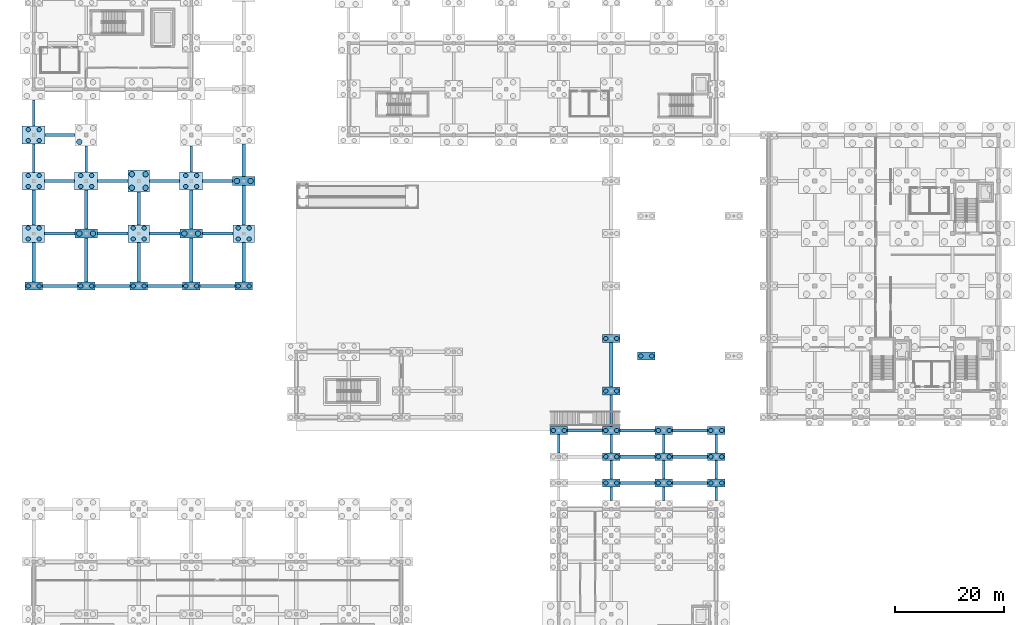
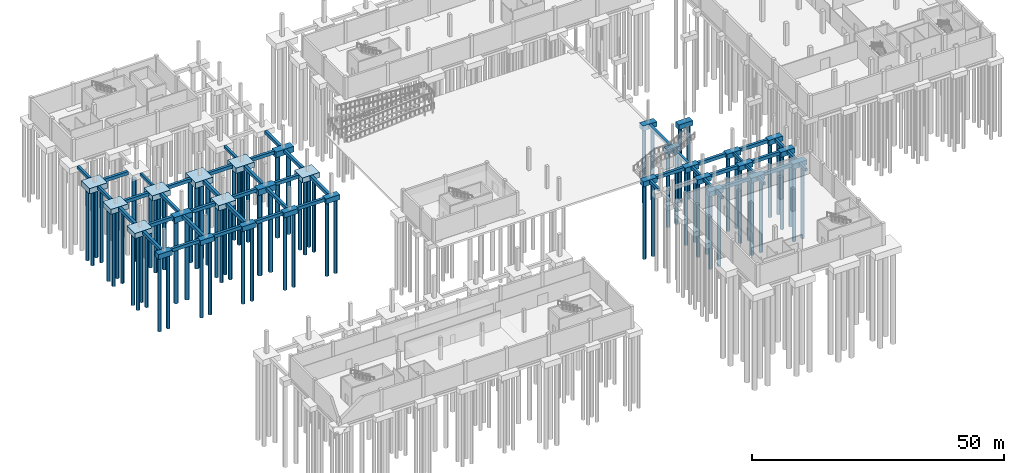
# One storey, part 4 of 41: 76 footings, 75 piles.
"""IFC4 building model written with IfcOpenShell, lengths in metres."""

from ifc_helpers import new_model, si_unit, direction, frame, origin, origin_2d, place, context, subcontext, project, spatial, rectangle, circle, extrude, material, material_profile, profile_set, type_object, element, save


model = new_model("IFC4")

# Units and contexts
model_context = context("Model", 3, precision=1e-05, world=origin(), true_north=direction((0.0, 1.0)))
body_context = subcontext(model_context, "Body", "Model", "MODEL_VIEW")
ifc_project = project(units=[si_unit("LENGTHUNIT", "METRE"), si_unit("AREAUNIT", "SQUARE_METRE"), si_unit("VOLUMEUNIT", "CUBIC_METRE"), si_unit("PLANEANGLEUNIT", "RADIAN"), si_unit("MASSUNIT", "GRAM", prefix="KILO")], contexts=[model_context])

# Site, building, storey
site_placement = place(None, origin())
site = spatial("IfcSite", under=ifc_project, at=site_placement, CompositionType="ELEMENT")
building_placement = place(site_placement, origin())
building = spatial("IfcBuilding", under=site, at=building_placement, Name="Shalvenor Court Art Gallery", CompositionType="ELEMENT")
storey_placement = place(building_placement, frame((0.0, 0.0, -5.39990234375)))
storey = spatial("IfcBuildingStorey", under=building, at=storey_placement, Name="B01", CompositionType="ELEMENT", Elevation=-5.39990234375)

# Footings
ifc_material_1 = material(Name="Concrete C35/45", Category="concrete")
footing_type_1 = type_object("IfcFootingType", Name="GB-01", PredefinedType="FOOTING_BEAM", material=ifc_material_1)
footing_1_placement = place(storey_placement, frame((0.0, 73.949951171875, -0.80029296875), z_axis=(0.0, 0.0, 1.0), x_axis=(0.0, 1.0, 0.0)))
element("IfcFooting", 1, at=footing_1_placement, inside=storey, type_object=footing_type_1, Name="B01 Ground Tie Beam FTG-192", PredefinedType="FOOTING_BEAM", context=body_context, shape_type="SweptSolid", body=[
    extrude(rectangle(XDim=7.300048828125, YDim=0.60009765625, at=origin_2d()), origin(), (0.0, 0.0, 1.0), 0.800048828125),
])
footing_2_placement = place(storey_placement, frame((0.0, 84.0, -0.80029296875), z_axis=(0.0, 0.0, 1.0), x_axis=(0.0, 1.0, 0.0)))
element("IfcFooting", 2, at=footing_2_placement, inside=storey, type_object=footing_type_1, Name="B01 Ground Tie Beam FTG-193", PredefinedType="FOOTING_BEAM", context=body_context, shape_type="SweptSolid", body=[
    extrude(rectangle(XDim=6.39990234375, YDim=0.60009765625, at=origin_2d()), origin(), (0.0, 0.0, 1.0), 0.800048828125),
])
footing_3_placement = place(storey_placement, frame((9.60009765625, 74.35009765625, -0.80029296875), z_axis=(0.0, 0.0, 1.0), x_axis=(0.0, 1.0, 0.0)))
element("IfcFooting", 3, at=footing_3_placement, inside=storey, type_object=footing_type_1, Name="B01 Ground Tie Beam FTG-201", PredefinedType="FOOTING_BEAM", context=body_context, shape_type="SweptSolid", body=[
    extrude(rectangle(XDim=8.10009765625, YDim=0.60009765625, at=origin_2d()), origin(), (0.0, 0.0, 1.0), 0.800048828125),
])
footing_4_placement = place(storey_placement, frame((9.60009765625, 83.574951171875, -0.80029296875), z_axis=(0.0, 0.0, 1.0), x_axis=(0.0, 1.0, 0.0)))
element("IfcFooting", 4, at=footing_4_placement, inside=storey, type_object=footing_type_1, Name="B01 Ground Tie Beam FTG-202", PredefinedType="FOOTING_BEAM", context=body_context, shape_type="SweptSolid", body=[
    extrude(rectangle(XDim=7.14990234375, YDim=0.60009765625, at=origin_2d()), origin(), (0.0, 0.0, 1.0), 0.800048828125),
])
footing_5_placement = place(storey_placement, frame((19.199951171875, 73.949951171875, -0.80029296875), z_axis=(0.0, 0.0, 1.0), x_axis=(0.0, 1.0, 0.0)))
element("IfcFooting", 5, at=footing_5_placement, inside=storey, type_object=footing_type_1, Name="B01 Ground Tie Beam FTG-210", PredefinedType="FOOTING_BEAM", context=body_context, shape_type="SweptSolid", body=[
    extrude(rectangle(XDim=7.300048828125, YDim=0.60009765625, at=origin_2d()), origin(), (0.0, 0.0, 1.0), 0.800048828125),
])
footing_6_placement = place(storey_placement, frame((19.199951171875, 83.800048828125, -0.80029296875), z_axis=(0.0, 0.0, 1.0), x_axis=(0.0, 1.0, 0.0)))
element("IfcFooting", 6, at=footing_6_placement, inside=storey, type_object=footing_type_1, Name="B01 Ground Tie Beam FTG-211", PredefinedType="FOOTING_BEAM", context=body_context, shape_type="SweptSolid", body=[
    extrude(rectangle(XDim=6.0, YDim=0.60009765625, at=origin_2d()), origin(), (0.0, 0.0, 1.0), 0.800048828125),
])
footing_7_placement = place(storey_placement, frame((28.800048828125, 74.35009765625, -0.80029296875), z_axis=(0.0, 0.0, 1.0), x_axis=(0.0, 1.0, 0.0)))
element("IfcFooting", 7, at=footing_7_placement, inside=storey, type_object=footing_type_1, Name="B01 Ground Tie Beam FTG-215", PredefinedType="FOOTING_BEAM", context=body_context, shape_type="SweptSolid", body=[
    extrude(rectangle(XDim=8.10009765625, YDim=0.60009765625, at=origin_2d()), origin(), (0.0, 0.0, 1.0), 0.800048828125),
])
footing_8_placement = place(storey_placement, frame((28.800048828125, 83.574951171875, -0.80029296875), z_axis=(0.0, 0.0, 1.0), x_axis=(0.0, 1.0, 0.0)))
element("IfcFooting", 8, at=footing_8_placement, inside=storey, type_object=footing_type_1, Name="B01 Ground Tie Beam FTG-216", PredefinedType="FOOTING_BEAM", context=body_context, shape_type="SweptSolid", body=[
    extrude(rectangle(XDim=7.14990234375, YDim=0.60009765625, at=origin_2d()), origin(), (0.0, 0.0, 1.0), 0.800048828125),
])
footing_9_placement = place(storey_placement, frame((38.39990234375, 73.949951171875, -0.80029296875), z_axis=(0.0, 0.0, 1.0), x_axis=(0.0, 1.0, 0.0)))
element("IfcFooting", 9, at=footing_9_placement, inside=storey, type_object=footing_type_1, Name="B01 Ground Tie Beam FTG-224", PredefinedType="FOOTING_BEAM", context=body_context, shape_type="SweptSolid", body=[
    extrude(rectangle(XDim=7.300048828125, YDim=0.60009765625, at=origin_2d()), origin(), (0.0, 0.0, 1.0), 0.800048828125),
])
footing_10_placement = place(storey_placement, frame((38.39990234375, 84.39990234375, -0.80029296875), z_axis=(0.0, 0.0, 1.0), x_axis=(0.0, 1.0, 0.0)))
element("IfcFooting", 10, at=footing_10_placement, inside=storey, type_object=footing_type_1, Name="B01 Ground Tie Beam FTG-225", PredefinedType="FOOTING_BEAM", context=body_context, shape_type="SweptSolid", body=[
    extrude(rectangle(XDim=7.199951171875, YDim=0.60009765625, at=origin_2d()), origin(), (0.0, 0.0, 1.0), 0.800048828125),
])
footing_11_placement = place(storey_placement, frame((38.39990234375, 92.60009765625, -0.80029296875), z_axis=(0.0, 0.0, 1.0), x_axis=(0.0, 1.0, 0.0)))
element("IfcFooting", 11, at=footing_11_placement, inside=storey, type_object=footing_type_1, Name="B01 Ground Tie Beam FTG-226", PredefinedType="FOOTING_BEAM", context=body_context, shape_type="SweptSolid", body=[
    extrude(rectangle(XDim=6.0, YDim=0.60009765625, at=origin_2d()), origin(), (0.0, 0.0, 1.0), 0.800048828125),
])
footing_12_placement = place(storey_placement, frame((105.60009765625, 55.199951171875, -0.80029296875), z_axis=(0.0, 0.0, 1.0), x_axis=(0.0, 1.0, 0.0)))
element("IfcFooting", 12, at=footing_12_placement, inside=storey, type_object=footing_type_1, Name="B01 Ground Tie Beam FTG-276", PredefinedType="FOOTING_BEAM", context=body_context, shape_type="SweptSolid", body=[
    extrude(rectangle(XDim=8.199951171875, YDim=0.60009765625, at=origin_2d()), origin(), (0.0, 0.0, 1.0), 0.800048828125),
])
for number, where, z_axis, x_axis, name in (
    (13, (110.39990234375, 33.60009765625, -0.80029296875), (0.0, 0.0, 1.0), (1.0, 0.0, 0.0), "B01 Ground Tie Beam FTG-376"),
    (14, (120.0, 33.60009765625, -0.80029296875), (0.0, 0.0, 1.0), (1.0, 0.0, 0.0), "B01 Ground Tie Beam FTG-377"),
    (15, (110.39990234375, 38.39990234375, -0.80029296875), (0.0, 0.0, 1.0), (1.0, 0.0, 0.0), "B01 Ground Tie Beam FTG-379"),
    (16, (120.0, 38.39990234375, -0.80029296875), (0.0, 0.0, 1.0), (1.0, 0.0, 0.0), "B01 Ground Tie Beam FTG-380"),
    (17, (100.800048828125, 43.199951171875, -0.80029296875), (0.0, 0.0, 1.0), (1.0, 0.0, 0.0), "B01 Ground Tie Beam FTG-381"),
    (18, (110.39990234375, 43.199951171875, -0.80029296875), (0.0, 0.0, 1.0), (1.0, 0.0, 0.0), "B01 Ground Tie Beam FTG-382"),
    (19, (120.0, 43.199951171875, -0.80029296875), (0.0, 0.0, 1.0), (1.0, 0.0, 0.0), "B01 Ground Tie Beam FTG-383"),
    (20, (4.800048828125, 69.60009765625, -0.80029296875), (0.0, 0.0, 1.0), (1.0, 0.0, 0.0), "B01 Ground Tie Beam FTG-406"),
    (21, (14.39990234375, 69.60009765625, -0.80029296875), (0.0, 0.0, 1.0), (1.0, 0.0, 0.0), "B01 Ground Tie Beam FTG-407"),
    (22, (24.0, 69.60009765625, -0.80029296875), (0.0, 0.0, 1.0), (1.0, 0.0, 0.0), "B01 Ground Tie Beam FTG-408"),
    (23, (33.60009765625, 69.60009765625, -0.80029296875), (0.0, 0.0, 1.0), (1.0, 0.0, 0.0), "B01 Ground Tie Beam FTG-409"),
):
    element("IfcFooting", number, at=place(storey_placement, frame(where, z_axis=z_axis, x_axis=x_axis)), inside=storey, type_object=footing_type_1, Name=name, PredefinedType="FOOTING_BEAM", context=body_context, shape_type="SweptSolid", body=[
        extrude(rectangle(XDim=6.39990234375, YDim=0.60009765625, at=origin_2d()), origin(), (0.0, 0.0, 1.0), 0.800048828125),
    ])
for number, where, z_axis, x_axis, name in (
    (24, (4.77490234375, 79.199951171875, -0.80029296875), (0.0, 0.0, 1.0), (1.0, 0.0, 0.0), "B01 Ground Tie Beam FTG-414"),
    (25, (14.425048828125, 79.199951171875, -0.80029296875), (0.0, 0.0, 1.0), (1.0, 0.0, 0.0), "B01 Ground Tie Beam FTG-415"),
    (26, (23.97509765625, 79.199951171875, -0.80029296875), (0.0, 0.0, 1.0), (1.0, 0.0, 0.0), "B01 Ground Tie Beam FTG-416"),
    (27, (33.625, 79.199951171875, -0.80029296875), (0.0, 0.0, 1.0), (1.0, 0.0, 0.0), "B01 Ground Tie Beam FTG-417"),
):
    element("IfcFooting", number, at=place(storey_placement, frame(where, z_axis=z_axis, x_axis=x_axis)), inside=storey, type_object=footing_type_1, Name=name, PredefinedType="FOOTING_BEAM", context=body_context, shape_type="SweptSolid", body=[
        extrude(rectangle(XDim=5.550048828125, YDim=0.60009765625, at=origin_2d()), origin(), (0.0, 0.0, 1.0), 0.800048828125),
    ])
for number, where, z_axis, x_axis, name in (
    (28, (4.75, 88.800048828125, -0.80029296875), (0.0, 0.0, 1.0), (1.0, 0.0, 0.0), "B01 Ground Tie Beam FTG-423"),
    (29, (14.449951171875, 88.800048828125, -0.80029296875), (0.0, 0.0, 1.0), (1.0, 0.0, 0.0), "B01 Ground Tie Beam FTG-424"),
    (30, (23.949951171875, 88.800048828125, -0.80029296875), (0.0, 0.0, 1.0), (1.0, 0.0, 0.0), "B01 Ground Tie Beam FTG-425"),
):
    element("IfcFooting", number, at=place(storey_placement, frame(where, z_axis=z_axis, x_axis=x_axis)), inside=storey, type_object=footing_type_1, Name=name, PredefinedType="FOOTING_BEAM", context=body_context, shape_type="SweptSolid", body=[
        extrude(rectangle(XDim=5.5, YDim=0.60009765625, at=origin_2d()), origin(), (0.0, 0.0, 1.0), 0.800048828125),
    ])
footing_13_placement = place(storey_placement, frame((33.625, 88.800048828125, -0.80029296875), z_axis=(0.0, 0.0, 1.0), x_axis=(1.0, 0.0, 0.0)))
element("IfcFooting", 31, at=footing_13_placement, inside=storey, type_object=footing_type_1, Name="B01 Ground Tie Beam FTG-426", PredefinedType="FOOTING_BEAM", context=body_context, shape_type="SweptSolid", body=[
    extrude(rectangle(XDim=5.449951171875, YDim=0.60009765625, at=origin_2d()), origin(), (0.0, 0.0, 1.0), 0.800048828125),
])
footing_14_placement = place(storey_placement, frame((4.85009765625, 97.199951171875, -0.80029296875), z_axis=(0.0, 0.0, 1.0), x_axis=(1.0, 0.0, 0.0)))
element("IfcFooting", 32, at=footing_14_placement, inside=storey, type_object=footing_type_1, Name="B01 Ground Tie Beam FTG-432", PredefinedType="FOOTING_BEAM", context=body_context, shape_type="SweptSolid", body=[
    extrude(rectangle(XDim=5.5, YDim=0.60009765625, at=origin_2d()), origin(), (0.0, 0.0, 1.0), 0.800048828125),
])
ifc_material_2 = material(Name="Concrete C35/45", Category="concrete")
footing_type_2 = type_object("IfcFootingType", Name="GB-02", PredefinedType="FOOTING_BEAM", material=ifc_material_2)
footing_15_placement = place(storey_placement, frame((0.0, 92.97509765625, -0.7001953125), z_axis=(0.0, 0.0, 1.0), x_axis=(0.0, 1.0, 0.0)))
element("IfcFooting", 33, at=footing_15_placement, inside=storey, type_object=footing_type_2, Name="B01 Ground Tie Beam FTG-194", PredefinedType="FOOTING_BEAM", context=body_context, shape_type="SweptSolid", body=[
    extrude(rectangle(XDim=5.14990234375, YDim=0.5, at=origin_2d()), origin(), (0.0, 0.0, 1.0), 0.699951171875),
])
for number, where, z_axis, x_axis, name in (
    (34, (0.0, 101.22509765625, -0.7001953125), (0.0, 0.0, 1.0), (0.0, 1.0, 0.0), "B01 Ground Tie Beam FTG-195"),
    (35, (9.60009765625, 92.824951171875, -0.7001953125), (0.0, 0.0, 1.0), (0.0, 1.0, 0.0), "B01 Ground Tie Beam FTG-203"),
    (36, (28.800048828125, 92.824951171875, -0.7001953125), (0.0, 0.0, 1.0), (0.0, 1.0, 0.0), "B01 Ground Tie Beam FTG-217"),
):
    element("IfcFooting", number, at=place(storey_placement, frame(where, z_axis=z_axis, x_axis=x_axis)), inside=storey, type_object=footing_type_2, Name=name, PredefinedType="FOOTING_BEAM", context=body_context, shape_type="SweptSolid", body=[
        extrude(rectangle(XDim=4.75, YDim=0.5, at=origin_2d()), origin(), (0.0, 0.0, 1.0), 0.699951171875),
    ])
footing_16_placement = place(storey_placement, frame((96.0, 40.800048828125, -0.7001953125), z_axis=(0.0, 0.0, 1.0), x_axis=(0.0, 1.0, 0.0)))
element("IfcFooting", 37, at=footing_16_placement, inside=storey, type_object=footing_type_2, Name="B01 Ground Tie Beam FTG-264", PredefinedType="FOOTING_BEAM", context=body_context, shape_type="SweptSolid", body=[
    extrude(rectangle(XDim=3.39990234375, YDim=0.5, at=origin_2d()), origin(), (0.0, 0.0, 1.0), 0.699951171875),
])
footing_17_placement = place(storey_placement, frame((105.60009765625, 31.64990234375, -0.7001953125), z_axis=(0.0, 0.0, 1.0), x_axis=(0.0, 1.0, 0.0)))
element("IfcFooting", 38, at=footing_17_placement, inside=storey, type_object=footing_type_2, Name="B01 Ground Tie Beam FTG-272", PredefinedType="FOOTING_BEAM", context=body_context, shape_type="SweptSolid", body=[
    extrude(rectangle(XDim=2.5, YDim=0.5, at=origin_2d()), origin(), (0.0, 0.0, 1.0), 0.699951171875),
])
for number, where, z_axis, x_axis, name in (
    (39, (105.60009765625, 36.0, -0.7001953125), (0.0, 0.0, 1.0), (0.0, 1.0, 0.0), "B01 Ground Tie Beam FTG-273"),
    (40, (105.60009765625, 40.800048828125, -0.7001953125), (0.0, 0.0, 1.0), (0.0, 1.0, 0.0), "B01 Ground Tie Beam FTG-274"),
):
    element("IfcFooting", number, at=place(storey_placement, frame(where, z_axis=z_axis, x_axis=x_axis)), inside=storey, type_object=footing_type_2, Name=name, PredefinedType="FOOTING_BEAM", context=body_context, shape_type="SweptSolid", body=[
        extrude(rectangle(XDim=3.39990234375, YDim=0.5, at=origin_2d()), origin(), (0.0, 0.0, 1.0), 0.699951171875),
    ])
footing_18_placement = place(storey_placement, frame((105.60009765625, 46.800048828125, -0.7001953125), z_axis=(0.0, 0.0, 1.0), x_axis=(0.0, 1.0, 0.0)))
element("IfcFooting", 41, at=footing_18_placement, inside=storey, type_object=footing_type_2, Name="B01 Ground Tie Beam FTG-275", PredefinedType="FOOTING_BEAM", context=body_context, shape_type="SweptSolid", body=[
    extrude(rectangle(XDim=5.800048828125, YDim=0.5, at=origin_2d()), origin(), (0.0, 0.0, 1.0), 0.699951171875),
])
footing_19_placement = place(storey_placement, frame((115.199951171875, 31.64990234375, -0.7001953125), z_axis=(0.0, 0.0, 1.0), x_axis=(0.0, 1.0, 0.0)))
element("IfcFooting", 42, at=footing_19_placement, inside=storey, type_object=footing_type_2, Name="B01 Ground Tie Beam FTG-286", PredefinedType="FOOTING_BEAM", context=body_context, shape_type="SweptSolid", body=[
    extrude(rectangle(XDim=2.5, YDim=0.5, at=origin_2d()), origin(), (0.0, 0.0, 1.0), 0.699951171875),
])
for number, where, z_axis, x_axis, name in (
    (43, (115.199951171875, 36.0, -0.7001953125), (0.0, 0.0, 1.0), (0.0, 1.0, 0.0), "B01 Ground Tie Beam FTG-287"),
    (44, (115.199951171875, 40.800048828125, -0.7001953125), (0.0, 0.0, 1.0), (0.0, 1.0, 0.0), "B01 Ground Tie Beam FTG-288"),
):
    element("IfcFooting", number, at=place(storey_placement, frame(where, z_axis=z_axis, x_axis=x_axis)), inside=storey, type_object=footing_type_2, Name=name, PredefinedType="FOOTING_BEAM", context=body_context, shape_type="SweptSolid", body=[
        extrude(rectangle(XDim=3.39990234375, YDim=0.5, at=origin_2d()), origin(), (0.0, 0.0, 1.0), 0.699951171875),
    ])
footing_20_placement = place(storey_placement, frame((124.800048828125, 31.64990234375, -0.7001953125), z_axis=(0.0, 0.0, 1.0), x_axis=(0.0, 1.0, 0.0)))
element("IfcFooting", 45, at=footing_20_placement, inside=storey, type_object=footing_type_2, Name="B01 Ground Tie Beam FTG-294", PredefinedType="FOOTING_BEAM", context=body_context, shape_type="SweptSolid", body=[
    extrude(rectangle(XDim=2.5, YDim=0.5, at=origin_2d()), origin(), (0.0, 0.0, 1.0), 0.699951171875),
])
for number, where, z_axis, x_axis, name in (
    (46, (124.800048828125, 36.0, -0.7001953125), (0.0, 0.0, 1.0), (0.0, 1.0, 0.0), "B01 Ground Tie Beam FTG-295"),
    (47, (124.800048828125, 40.800048828125, -0.7001953125), (0.0, 0.0, 1.0), (0.0, 1.0, 0.0), "B01 Ground Tie Beam FTG-296"),
):
    element("IfcFooting", number, at=place(storey_placement, frame(where, z_axis=z_axis, x_axis=x_axis)), inside=storey, type_object=footing_type_2, Name=name, PredefinedType="FOOTING_BEAM", context=body_context, shape_type="SweptSolid", body=[
        extrude(rectangle(XDim=3.39990234375, YDim=0.5, at=origin_2d()), origin(), (0.0, 0.0, 1.0), 0.699951171875),
    ])
ifc_material_3 = material(Name="Concrete C35/45", Category="concrete")
footing_type_3 = type_object("IfcFootingType", Name="PC-01", PredefinedType="PILE_CAP", material=ifc_material_3)
for number, where, z_axis, x_axis, name in (
    (48, (0.0, 69.60009765625, -1.2001953125), (0.0, 0.0, 1.0), (1.0, 0.0, 0.0), "B01 Pile Cap FTG-005"),
    (49, (9.60009765625, 69.60009765625, -1.2001953125), (0.0, 0.0, 1.0), (1.0, 0.0, 0.0), "B01 Pile Cap FTG-016"),
    (50, (19.199951171875, 69.60009765625, -1.2001953125), (0.0, 0.0, 1.0), (1.0, 0.0, 0.0), "B01 Pile Cap FTG-027"),
    (51, (28.800048828125, 69.60009765625, -1.2001953125), (0.0, 0.0, 1.0), (1.0, 0.0, 0.0), "B01 Pile Cap FTG-036"),
    (52, (38.39990234375, 69.60009765625, -1.2001953125), (0.0, 0.0, 1.0), (1.0, 0.0, 0.0), "B01 Pile Cap FTG-047"),
    (53, (96.0, 43.199951171875, -1.2001953125), (0.0, 0.0, 1.0), (1.0, 0.0, 0.0), "B01 Pile Cap FTG-100"),
    (54, (105.60009765625, 33.60009765625, -1.2001953125), (0.0, 0.0, 1.0), (1.0, 0.0, 0.0), "B01 Pile Cap FTG-110"),
    (55, (105.60009765625, 38.39990234375, -1.2001953125), (0.0, 0.0, 1.0), (1.0, 0.0, 0.0), "B01 Pile Cap FTG-111"),
    (56, (105.60009765625, 43.199951171875, -1.2001953125), (0.0, 0.0, 1.0), (1.0, 0.0, 0.0), "B01 Pile Cap FTG-112"),
    (57, (105.60009765625, 50.39990234375, -1.2001953125), (0.0, 0.0, 1.0), (1.0, 0.0, 0.0), "B01 Pile Cap FTG-113"),
    (58, (105.60009765625, 60.0, -1.2001953125), (0.0, 0.0, 1.0), (1.0, 0.0, 0.0), "B01 Pile Cap FTG-114"),
    (59, (115.199951171875, 33.60009765625, -1.2001953125), (0.0, 0.0, 1.0), (1.0, 0.0, 0.0), "B01 Pile Cap FTG-126"),
    (60, (115.199951171875, 38.39990234375, -1.2001953125), (0.0, 0.0, 1.0), (1.0, 0.0, 0.0), "B01 Pile Cap FTG-127"),
    (61, (115.199951171875, 43.199951171875, -1.2001953125), (0.0, 0.0, 1.0), (1.0, 0.0, 0.0), "B01 Pile Cap FTG-128"),
    (62, (124.800048828125, 33.60009765625, -1.2001953125), (0.0, 0.0, 1.0), (1.0, 0.0, 0.0), "B01 Pile Cap FTG-137"),
    (63, (124.800048828125, 38.39990234375, -1.2001953125), (0.0, 0.0, 1.0), (1.0, 0.0, 0.0), "B01 Pile Cap FTG-138"),
    (64, (124.800048828125, 43.199951171875, -1.2001953125), (0.0, 0.0, 1.0), (1.0, 0.0, 0.0), "B01 Pile Cap FTG-139"),
    (65, (112.0, 56.800048828125, -1.2001953125), (0.0, 0.0, 1.0), (1.0, 0.0, 0.0), "B01 Pool Basin Cap FTG-185"),
):
    element("IfcFooting", number, at=place(storey_placement, frame(where, z_axis=z_axis, x_axis=x_axis)), inside=storey, type_object=footing_type_3, Name=name, PredefinedType="PILE_CAP", context=body_context, shape_type="SweptSolid", body=[
        extrude(rectangle(XDim=3.199951171875, YDim=1.39990234375, at=origin_2d()), origin(), (0.0, 0.0, 1.0), 1.199951171875),
    ])
ifc_material_4 = material(Name="Concrete C35/45", Category="concrete")
footing_type_4 = type_object("IfcFootingType", Name="PC-03", PredefinedType="PILE_CAP", material=ifc_material_4)
for number, where, z_axis, x_axis, name in (
    (66, (0.0, 79.199951171875, -1.25), (0.0, 0.0, 1.0), (1.0, 0.0, 0.0), "B01 Pile Cap FTG-006"),
    (67, (0.0, 88.800048828125, -1.25), (0.0, 0.0, 1.0), (1.0, 0.0, 0.0), "B01 Pile Cap FTG-007"),
    (68, (19.199951171875, 79.199951171875, -1.25), (0.0, 0.0, 1.0), (1.0, 0.0, 0.0), "B01 Pile Cap FTG-028"),
    (69, (38.39990234375, 79.199951171875, -1.25), (0.0, 0.0, 1.0), (1.0, 0.0, 0.0), "B01 Pile Cap FTG-048"),
):
    element("IfcFooting", number, at=place(storey_placement, frame(where, z_axis=z_axis, x_axis=x_axis)), inside=storey, type_object=footing_type_4, Name=name, PredefinedType="PILE_CAP", context=body_context, shape_type="SweptSolid", body=[
        extrude(rectangle(XDim=4.0, YDim=3.199951171875, at=origin_2d()), origin(), (0.0, 0.0, 1.0), 1.25),
    ])
ifc_material_5 = material(Name="Concrete C35/45", Category="concrete")
footing_type_5 = type_object("IfcFootingType", Name="PC-04", PredefinedType="PILE_CAP", material=ifc_material_5)
for number, where, z_axis, x_axis, name in (
    (70, (0.0, 97.199951171875, -1.30029296875), (0.0, 0.0, 1.0), (1.0, 0.0, 0.0), "B01 Pile Cap FTG-008"),
    (71, (9.60009765625, 88.800048828125, -1.30029296875), (0.0, 0.0, 1.0), (1.0, 0.0, 0.0), "B01 Pile Cap FTG-018"),
    (72, (28.800048828125, 88.800048828125, -1.30029296875), (0.0, 0.0, 1.0), (1.0, 0.0, 0.0), "B01 Pile Cap FTG-038"),
):
    element("IfcFooting", number, at=place(storey_placement, frame(where, z_axis=z_axis, x_axis=x_axis)), inside=storey, type_object=footing_type_5, Name=name, PredefinedType="PILE_CAP", context=body_context, shape_type="SweptSolid", body=[
        extrude(rectangle(XDim=4.199951171875, YDim=3.300048828125, at=origin_2d()), origin(), (0.0, 0.0, 1.0), 1.300048828125),
    ])
ifc_material_6 = material(Name="Concrete C35/45", Category="concrete")
footing_type_6 = type_object("IfcFootingType", Name="PC-05", PredefinedType="PILE_CAP", material=ifc_material_6)
for number, where, z_axis, x_axis, name in (
    (73, (9.60009765625, 79.199951171875, -1.400146484375), (0.0, 0.0, 1.0), (1.0, 0.0, 0.0), "B01 Pile Cap FTG-017"),
    (74, (28.800048828125, 79.199951171875, -1.400146484375), (0.0, 0.0, 1.0), (1.0, 0.0, 0.0), "B01 Pile Cap FTG-037"),
    (75, (38.39990234375, 88.800048828125, -1.400146484375), (0.0, 0.0, 1.0), (1.0, 0.0, 0.0), "B01 Pile Cap FTG-049"),
):
    element("IfcFooting", number, at=place(storey_placement, frame(where, z_axis=z_axis, x_axis=x_axis)), inside=storey, type_object=footing_type_6, Name=name, PredefinedType="PILE_CAP", context=body_context, shape_type="SweptSolid", body=[
        extrude(rectangle(XDim=4.10009765625, YDim=1.60009765625, at=origin_2d()), origin(), (0.0, 0.0, 1.0), 1.39990234375),
    ])
ifc_material_7 = material(Name="Concrete C35/45", Category="concrete")
footing_type_7 = type_object("IfcFootingType", Name="PC-06", PredefinedType="PILE_CAP", material=ifc_material_7)
footing_21_placement = place(storey_placement, frame((19.199951171875, 88.800048828125, -1.400146484375), z_axis=(0.0, 0.0, 1.0), x_axis=(1.0, 0.0, 0.0)))
element("IfcFooting", 76, at=footing_21_placement, inside=storey, type_object=footing_type_7, Name="B01 Pile Cap FTG-029", PredefinedType="PILE_CAP", context=body_context, shape_type="SweptSolid", body=[
    extrude(rectangle(XDim=4.0, YDim=4.0, at=origin_2d()), origin(), (0.0, 0.0, 1.0), 1.39990234375),
])

# Piles
ifc_material_8 = material(Name="Concrete C35/45", Category="concrete")
ifc_material_profile_1 = material_profile(ifc_material_8, circle(Radius=0.5, at=origin_2d()), Name="PILE 1000")
ifc_profile_set_1 = profile_set([ifc_material_profile_1], Name="Concrete C35/45")
pile_type_1 = type_object("IfcPileType", Name="PL-1000", PredefinedType="BORED", material=ifc_profile_set_1)
for number, where, z_axis, x_axis, name in (
    (77, (8.35009765625, 79.199951171875, -1.300048828125), (0.0, 0.0, -1.0), (1.0, 0.0, 0.0), "B01 Bored Pile PIL-PL-1000-0057"),
    (78, (10.85009765625, 79.199951171875, -1.300048828125), (0.0, 0.0, -1.0), (1.0, 0.0, 0.0), "B01 Bored Pile PIL-PL-1000-0058"),
    (79, (8.35009765625, 95.949951171875, -1.300048828125), (0.0, 0.0, -1.0), (1.0, 0.0, 0.0), "B01 Bored Pile PIL-PL-1000-0063"),
    (80, (17.949951171875, 87.550048828125, -1.300048828125), (0.0, 0.0, -1.0), (1.0, 0.0, 0.0), "B01 Bored Pile PIL-PL-1000-0099"),
    (81, (20.449951171875, 87.550048828125, -1.300048828125), (0.0, 0.0, -1.0), (1.0, 0.0, 0.0), "B01 Bored Pile PIL-PL-1000-0100"),
    (82, (17.949951171875, 90.050048828125, -1.300048828125), (0.0, 0.0, -1.0), (1.0, 0.0, 0.0), "B01 Bored Pile PIL-PL-1000-0101"),
    (83, (20.449951171875, 90.050048828125, -1.300048828125), (0.0, 0.0, -1.0), (1.0, 0.0, 0.0), "B01 Bored Pile PIL-PL-1000-0102"),
    (84, (27.550048828125, 79.199951171875, -1.300048828125), (0.0, 0.0, -1.0), (1.0, 0.0, 0.0), "B01 Bored Pile PIL-PL-1000-0127"),
    (85, (30.050048828125, 79.199951171875, -1.300048828125), (0.0, 0.0, -1.0), (1.0, 0.0, 0.0), "B01 Bored Pile PIL-PL-1000-0128"),
    (86, (37.14990234375, 88.800048828125, -1.300048828125), (0.0, 0.0, -1.0), (1.0, 0.0, 0.0), "B01 Bored Pile PIL-PL-1000-0169"),
    (87, (39.64990234375, 88.800048828125, -1.300048828125), (0.0, 0.0, -1.0), (1.0, 0.0, 0.0), "B01 Bored Pile PIL-PL-1000-0170"),
):
    element("IfcPile", number, at=place(storey_placement, frame(where, z_axis=z_axis, x_axis=x_axis)), inside=storey, type_object=pile_type_1, Name=name, PredefinedType="BORED", context=body_context, shape_type="SweptSolid", body=[
        extrude(circle(Radius=0.5, at=origin_2d()), origin(), (0.0, 0.0, 1.0), 20.0),
    ])
ifc_material_9 = material(Name="Concrete C35/45", Category="concrete")
ifc_material_profile_2 = material_profile(ifc_material_9, circle(Radius=0.39990234375, at=origin_2d()), Name="PILE 800")
ifc_profile_set_2 = profile_set([ifc_material_profile_2], Name="Concrete C35/45")
pile_type_2 = type_object("IfcPileType", Name="PL-800", PredefinedType="BORED", material=ifc_profile_set_2)
for number, where, z_axis, x_axis, name in (
    (88, (-1.0, 69.60009765625, -1.10009765625), (0.0, 0.0, -1.0), (1.0, 0.0, 0.0), "B01 Bored Pile PIL-PL-800-0015"),
    (89, (1.0, 69.60009765625, -1.10009765625), (0.0, 0.0, -1.0), (1.0, 0.0, 0.0), "B01 Bored Pile PIL-PL-800-0016"),
    (90, (-1.0, 78.199951171875, -1.150146484375), (0.0, 0.0, -1.0), (1.0, 0.0, 0.0), "B01 Bored Pile PIL-PL-800-0017"),
    (91, (1.0, 78.199951171875, -1.150146484375), (0.0, 0.0, -1.0), (1.0, 0.0, 0.0), "B01 Bored Pile PIL-PL-800-0018"),
    (92, (-1.0, 80.199951171875, -1.150146484375), (0.0, 0.0, -1.0), (1.0, 0.0, 0.0), "B01 Bored Pile PIL-PL-800-0019"),
    (93, (1.0, 80.199951171875, -1.150146484375), (0.0, 0.0, -1.0), (1.0, 0.0, 0.0), "B01 Bored Pile PIL-PL-800-0020"),
    (94, (-1.0, 87.800048828125, -1.150146484375), (0.0, 0.0, -1.0), (1.0, 0.0, 0.0), "B01 Bored Pile PIL-PL-800-0021"),
    (95, (1.0, 87.800048828125, -1.150146484375), (0.0, 0.0, -1.0), (1.0, 0.0, 0.0), "B01 Bored Pile PIL-PL-800-0022"),
    (96, (-1.0, 89.800048828125, -1.150146484375), (0.0, 0.0, -1.0), (1.0, 0.0, 0.0), "B01 Bored Pile PIL-PL-800-0023"),
    (97, (1.0, 89.800048828125, -1.150146484375), (0.0, 0.0, -1.0), (1.0, 0.0, 0.0), "B01 Bored Pile PIL-PL-800-0024"),
    (98, (-1.0, 96.199951171875, -1.2001953125), (0.0, 0.0, -1.0), (1.0, 0.0, 0.0), "B01 Bored Pile PIL-PL-800-0025"),
    (99, (1.0, 96.199951171875, -1.2001953125), (0.0, 0.0, -1.0), (1.0, 0.0, 0.0), "B01 Bored Pile PIL-PL-800-0026"),
    (100, (-1.0, 98.199951171875, -1.2001953125), (0.0, 0.0, -1.0), (1.0, 0.0, 0.0), "B01 Bored Pile PIL-PL-800-0027"),
    (101, (1.0, 98.199951171875, -1.2001953125), (0.0, 0.0, -1.0), (1.0, 0.0, 0.0), "B01 Bored Pile PIL-PL-800-0028"),
    (102, (8.60009765625, 69.60009765625, -1.10009765625), (0.0, 0.0, -1.0), (1.0, 0.0, 0.0), "B01 Bored Pile PIL-PL-800-0055"),
    (103, (10.60009765625, 69.60009765625, -1.10009765625), (0.0, 0.0, -1.0), (1.0, 0.0, 0.0), "B01 Bored Pile PIL-PL-800-0056"),
    (104, (8.60009765625, 87.800048828125, -1.2001953125), (0.0, 0.0, -1.0), (1.0, 0.0, 0.0), "B01 Bored Pile PIL-PL-800-0059"),
    (105, (10.60009765625, 87.800048828125, -1.2001953125), (0.0, 0.0, -1.0), (1.0, 0.0, 0.0), "B01 Bored Pile PIL-PL-800-0060"),
    (106, (8.60009765625, 89.800048828125, -1.2001953125), (0.0, 0.0, -1.0), (1.0, 0.0, 0.0), "B01 Bored Pile PIL-PL-800-0061"),
    (107, (10.60009765625, 89.800048828125, -1.2001953125), (0.0, 0.0, -1.0), (1.0, 0.0, 0.0), "B01 Bored Pile PIL-PL-800-0062"),
    (108, (18.199951171875, 69.60009765625, -1.10009765625), (0.0, 0.0, -1.0), (1.0, 0.0, 0.0), "B01 Bored Pile PIL-PL-800-0093"),
    (109, (20.199951171875, 69.60009765625, -1.10009765625), (0.0, 0.0, -1.0), (1.0, 0.0, 0.0), "B01 Bored Pile PIL-PL-800-0094"),
    (110, (18.199951171875, 78.199951171875, -1.150146484375), (0.0, 0.0, -1.0), (1.0, 0.0, 0.0), "B01 Bored Pile PIL-PL-800-0095"),
    (111, (20.199951171875, 78.199951171875, -1.150146484375), (0.0, 0.0, -1.0), (1.0, 0.0, 0.0), "B01 Bored Pile PIL-PL-800-0096"),
    (112, (18.199951171875, 80.199951171875, -1.150146484375), (0.0, 0.0, -1.0), (1.0, 0.0, 0.0), "B01 Bored Pile PIL-PL-800-0097"),
    (113, (20.199951171875, 80.199951171875, -1.150146484375), (0.0, 0.0, -1.0), (1.0, 0.0, 0.0), "B01 Bored Pile PIL-PL-800-0098"),
    (114, (27.800048828125, 69.60009765625, -1.10009765625), (0.0, 0.0, -1.0), (1.0, 0.0, 0.0), "B01 Bored Pile PIL-PL-800-0125"),
    (115, (29.800048828125, 69.60009765625, -1.10009765625), (0.0, 0.0, -1.0), (1.0, 0.0, 0.0), "B01 Bored Pile PIL-PL-800-0126"),
    (116, (27.800048828125, 87.800048828125, -1.2001953125), (0.0, 0.0, -1.0), (1.0, 0.0, 0.0), "B01 Bored Pile PIL-PL-800-0129"),
    (117, (29.800048828125, 87.800048828125, -1.2001953125), (0.0, 0.0, -1.0), (1.0, 0.0, 0.0), "B01 Bored Pile PIL-PL-800-0130"),
    (118, (27.800048828125, 89.800048828125, -1.2001953125), (0.0, 0.0, -1.0), (1.0, 0.0, 0.0), "B01 Bored Pile PIL-PL-800-0131"),
    (119, (29.800048828125, 89.800048828125, -1.2001953125), (0.0, 0.0, -1.0), (1.0, 0.0, 0.0), "B01 Bored Pile PIL-PL-800-0132"),
    (120, (37.39990234375, 69.60009765625, -1.10009765625), (0.0, 0.0, -1.0), (1.0, 0.0, 0.0), "B01 Bored Pile PIL-PL-800-0163"),
    (121, (39.39990234375, 69.60009765625, -1.10009765625), (0.0, 0.0, -1.0), (1.0, 0.0, 0.0), "B01 Bored Pile PIL-PL-800-0164"),
    (122, (37.39990234375, 78.199951171875, -1.150146484375), (0.0, 0.0, -1.0), (1.0, 0.0, 0.0), "B01 Bored Pile PIL-PL-800-0165"),
    (123, (39.39990234375, 78.199951171875, -1.150146484375), (0.0, 0.0, -1.0), (1.0, 0.0, 0.0), "B01 Bored Pile PIL-PL-800-0166"),
    (124, (37.39990234375, 80.199951171875, -1.150146484375), (0.0, 0.0, -1.0), (1.0, 0.0, 0.0), "B01 Bored Pile PIL-PL-800-0167"),
    (125, (39.39990234375, 80.199951171875, -1.150146484375), (0.0, 0.0, -1.0), (1.0, 0.0, 0.0), "B01 Bored Pile PIL-PL-800-0168"),
    (126, (95.0, 43.199951171875, -1.10009765625), (0.0, 0.0, -1.0), (1.0, 0.0, 0.0), "B01 Bored Pile PIL-PL-800-0339"),
    (127, (97.0, 43.199951171875, -1.10009765625), (0.0, 0.0, -1.0), (1.0, 0.0, 0.0), "B01 Bored Pile PIL-PL-800-0340"),
    (128, (104.60009765625, 33.60009765625, -1.10009765625), (0.0, 0.0, -1.0), (1.0, 0.0, 0.0), "B01 Bored Pile PIL-PL-800-0377"),
    (129, (106.60009765625, 33.60009765625, -1.10009765625), (0.0, 0.0, -1.0), (1.0, 0.0, 0.0), "B01 Bored Pile PIL-PL-800-0378"),
    (130, (104.60009765625, 38.39990234375, -1.10009765625), (0.0, 0.0, -1.0), (1.0, 0.0, 0.0), "B01 Bored Pile PIL-PL-800-0379"),
    (131, (106.60009765625, 38.39990234375, -1.10009765625), (0.0, 0.0, -1.0), (1.0, 0.0, 0.0), "B01 Bored Pile PIL-PL-800-0380"),
    (132, (104.60009765625, 43.199951171875, -1.10009765625), (0.0, 0.0, -1.0), (1.0, 0.0, 0.0), "B01 Bored Pile PIL-PL-800-0381"),
    (133, (106.60009765625, 43.199951171875, -1.10009765625), (0.0, 0.0, -1.0), (1.0, 0.0, 0.0), "B01 Bored Pile PIL-PL-800-0382"),
    (134, (104.60009765625, 50.39990234375, -1.10009765625), (0.0, 0.0, -1.0), (1.0, 0.0, 0.0), "B01 Bored Pile PIL-PL-800-0383"),
    (135, (106.60009765625, 50.39990234375, -1.10009765625), (0.0, 0.0, -1.0), (1.0, 0.0, 0.0), "B01 Bored Pile PIL-PL-800-0384"),
    (136, (104.60009765625, 60.0, -1.10009765625), (0.0, 0.0, -1.0), (1.0, 0.0, 0.0), "B01 Bored Pile PIL-PL-800-0385"),
    (137, (106.60009765625, 60.0, -1.10009765625), (0.0, 0.0, -1.0), (1.0, 0.0, 0.0), "B01 Bored Pile PIL-PL-800-0386"),
    (138, (114.199951171875, 33.60009765625, -1.10009765625), (0.0, 0.0, -1.0), (1.0, 0.0, 0.0), "B01 Bored Pile PIL-PL-800-0425"),
    (139, (116.199951171875, 33.60009765625, -1.10009765625), (0.0, 0.0, -1.0), (1.0, 0.0, 0.0), "B01 Bored Pile PIL-PL-800-0426"),
    (140, (114.199951171875, 38.39990234375, -1.10009765625), (0.0, 0.0, -1.0), (1.0, 0.0, 0.0), "B01 Bored Pile PIL-PL-800-0427"),
    (141, (116.199951171875, 38.39990234375, -1.10009765625), (0.0, 0.0, -1.0), (1.0, 0.0, 0.0), "B01 Bored Pile PIL-PL-800-0428"),
    (142, (114.199951171875, 43.199951171875, -1.10009765625), (0.0, 0.0, -1.0), (1.0, 0.0, 0.0), "B01 Bored Pile PIL-PL-800-0429"),
    (143, (116.199951171875, 43.199951171875, -1.10009765625), (0.0, 0.0, -1.0), (1.0, 0.0, 0.0), "B01 Bored Pile PIL-PL-800-0430"),
    (144, (123.800048828125, 33.60009765625, -1.10009765625), (0.0, 0.0, -1.0), (1.0, 0.0, 0.0), "B01 Bored Pile PIL-PL-800-0463"),
    (145, (125.800048828125, 33.60009765625, -1.10009765625), (0.0, 0.0, -1.0), (1.0, 0.0, 0.0), "B01 Bored Pile PIL-PL-800-0464"),
    (146, (123.800048828125, 38.39990234375, -1.10009765625), (0.0, 0.0, -1.0), (1.0, 0.0, 0.0), "B01 Bored Pile PIL-PL-800-0465"),
    (147, (125.800048828125, 38.39990234375, -1.10009765625), (0.0, 0.0, -1.0), (1.0, 0.0, 0.0), "B01 Bored Pile PIL-PL-800-0466"),
    (148, (123.800048828125, 43.199951171875, -1.10009765625), (0.0, 0.0, -1.0), (1.0, 0.0, 0.0), "B01 Bored Pile PIL-PL-800-0467"),
    (149, (125.800048828125, 43.199951171875, -1.10009765625), (0.0, 0.0, -1.0), (1.0, 0.0, 0.0), "B01 Bored Pile PIL-PL-800-0468"),
    (150, (111.0, 56.800048828125, -1.10009765625), (0.0, 0.0, -1.0), (1.0, 0.0, 0.0), "B01 Bored Pile PIL-PL-800-0635"),
    (151, (113.0, 56.800048828125, -1.10009765625), (0.0, 0.0, -1.0), (1.0, 0.0, 0.0), "B01 Bored Pile PIL-PL-800-0636"),
):
    element("IfcPile", number, at=place(storey_placement, frame(where, z_axis=z_axis, x_axis=x_axis)), inside=storey, type_object=pile_type_2, Name=name, PredefinedType="BORED", context=body_context, shape_type="SweptSolid", body=[
        extrude(circle(Radius=0.39990234375, at=origin_2d()), origin(), (0.0, 0.0, 1.0), 18.0),
    ])

save(model, "model.ifc")
